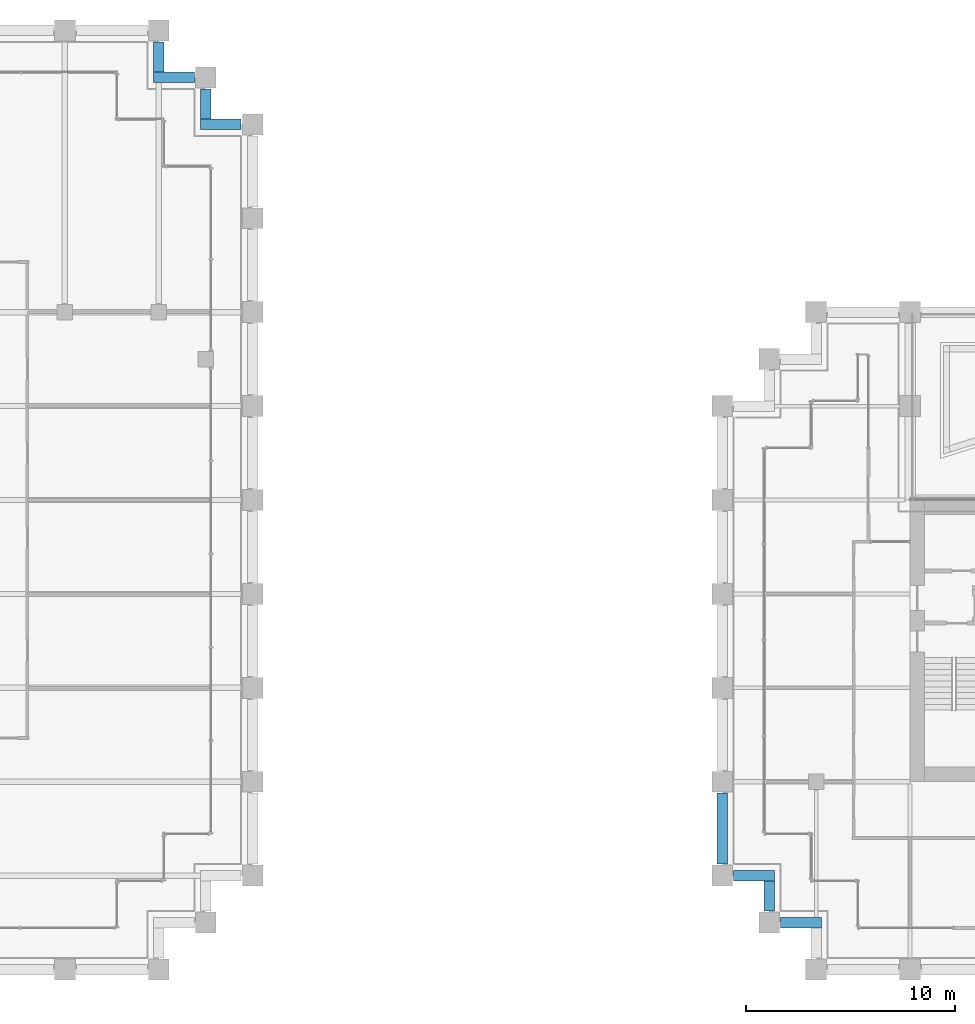
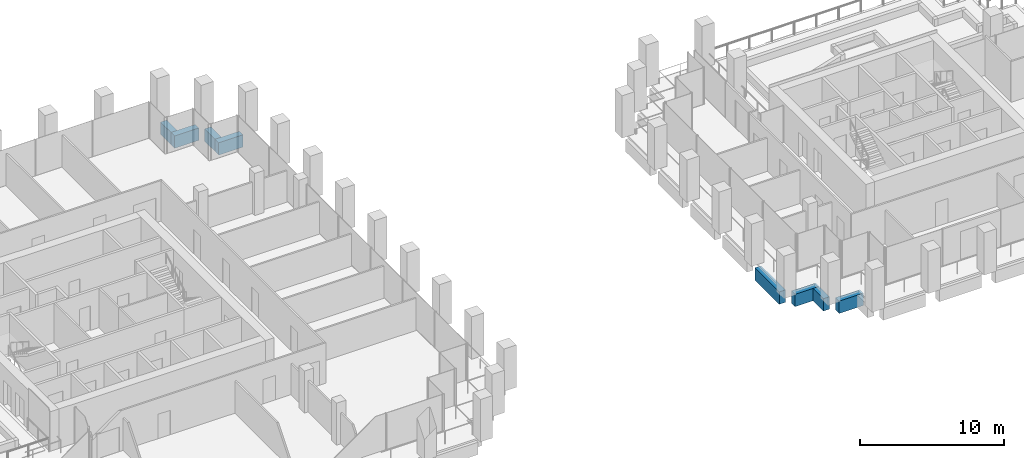
# One storey, part 29 of 52: 8 beams.
"""IFC4 building model written with IfcOpenShell, lengths in metres."""

from ifc_helpers import new_model, si_unit, direction, frame, origin, origin_2d, place, context, subcontext, project, spatial, rectangle, extrude, material, material_profile, profile_set, type_object, element, save


model = new_model("IFC4")

# Units and contexts
model_context = context("Model", 3, precision=1e-05, world=origin(), true_north=direction((0.0, 1.0)))
body_context = subcontext(model_context, "Body", "Model", "MODEL_VIEW")
ifc_project = project(units=[si_unit("LENGTHUNIT", "METRE"), si_unit("AREAUNIT", "SQUARE_METRE"), si_unit("VOLUMEUNIT", "CUBIC_METRE"), si_unit("PLANEANGLEUNIT", "RADIAN"), si_unit("MASSUNIT", "GRAM", prefix="KILO")], contexts=[model_context])

# Site, building, storey
site_placement = place(None, origin())
site = spatial("IfcSite", under=ifc_project, at=site_placement, CompositionType="ELEMENT")
building_placement = place(site_placement, origin())
building = spatial("IfcBuilding", under=site, at=building_placement, Name="Altepetl Exchange Towers", CompositionType="ELEMENT")
storey_placement = place(building_placement, frame((0.0, 0.0, 92.0)))
storey = spatial("IfcBuildingStorey", under=building, at=storey_placement, Name="L22", CompositionType="ELEMENT", Elevation=92.0)

# Beams
ifc_material_1 = material(Name="Concrete C50/60 precast with cantera rosa facing", Category="concrete")
ifc_material_profile_1 = material_profile(ifc_material_1, rectangle(XDim=0.5, YDim=1.050048828125, at=origin_2d()), Name="500 x 1050")
ifc_profile_set_1 = profile_set([ifc_material_profile_1], Name="Concrete C50/60 precast with cantera rosa facing")
beam_type_1 = type_object("IfcBeamType", Name="Spandrel beam 500x1050 cantera rosa", PredefinedType="SPANDREL", material=ifc_profile_set_1)
beam_1_placement = place(storey_placement, frame((71.449951171875, 67.5, -0.675048828125), z_axis=(-1.0, 0.0, 0.0), x_axis=(0.0, -1.0, 0.0)))
element("IfcBeam", 1, at=beam_1_placement, inside=storey, type_object=beam_type_1, Name="sp:A:L22:020", PredefinedType="SPANDREL", context=body_context, shape_type="SweptSolid", body=[
    extrude(rectangle(XDim=0.5, YDim=1.050048828125, at=origin_2d()), origin(), (0.0, 0.0, 1.0), 1.949951171875),
])
beam_2_placement = place(storey_placement, frame((69.75, 67.75, -0.675048828125), z_axis=(0.0, 1.0, 0.0), x_axis=(-1.0, 0.0, 0.0)))
element("IfcBeam", 2, at=beam_2_placement, inside=storey, type_object=beam_type_1, Name="sp:A:L22:021", PredefinedType="SPANDREL", context=body_context, shape_type="SweptSolid", body=[
    extrude(rectangle(XDim=0.5, YDim=1.050048828125, at=origin_2d()), origin(), (0.0, 0.0, 1.0), 1.449951171875),
])
beam_3_placement = place(storey_placement, frame((69.199951171875, 69.75, -0.675048828125), z_axis=(-1.0, 0.0, 0.0), x_axis=(0.0, -1.0, 0.0)))
element("IfcBeam", 3, at=beam_3_placement, inside=storey, type_object=beam_type_1, Name="sp:A:L22:022", PredefinedType="SPANDREL", context=body_context, shape_type="SweptSolid", body=[
    extrude(rectangle(XDim=0.5, YDim=1.050048828125, at=origin_2d()), origin(), (0.0, 0.0, 1.0), 1.949951171875),
])
beam_4_placement = place(storey_placement, frame((67.5, 70.0, -0.675048828125), z_axis=(0.0, 1.0, 0.0), x_axis=(-1.0, 0.0, 0.0)))
element("IfcBeam", 4, at=beam_4_placement, inside=storey, type_object=beam_type_1, Name="sp:A:L22:023", PredefinedType="SPANDREL", context=body_context, shape_type="SweptSolid", body=[
    extrude(rectangle(XDim=0.5, YDim=1.050048828125, at=origin_2d()), origin(), (0.0, 0.0, 1.0), 1.449951171875),
])
ifc_material_2 = material(Name="Concrete C50/60 precast with tezontle facing", Category="concrete")
ifc_material_profile_2 = material_profile(ifc_material_2, rectangle(XDim=0.5, YDim=1.050048828125, at=origin_2d()), Name="500 x 1050")
ifc_profile_set_2 = profile_set([ifc_material_profile_2], Name="Concrete C50/60 precast with tezontle facing")
beam_type_2 = type_object("IfcBeamType", Name="Spandrel beam 500x1050 tezontle", PredefinedType="SPANDREL", material=ifc_profile_set_2)
beam_5_placement = place(storey_placement, frame((94.5, 35.449951171875, -0.675048828125), z_axis=(0.0, -1.0, 0.0), x_axis=(1.0, 0.0, 0.0)))
element("IfcBeam", 5, at=beam_5_placement, inside=storey, type_object=beam_type_2, Name="sp:B:L22:026", PredefinedType="SPANDREL", context=body_context, shape_type="SweptSolid", body=[
    extrude(rectangle(XDim=0.5, YDim=1.050048828125, at=origin_2d()), origin(), (0.0, 0.0, 1.0), 3.39990234375),
])
beam_6_placement = place(storey_placement, frame((95.050048828125, 31.5, -0.675048828125), z_axis=(1.0, 0.0, 0.0), x_axis=(0.0, 1.0, 0.0)))
element("IfcBeam", 6, at=beam_6_placement, inside=storey, type_object=beam_type_2, Name="sp:B:L22:027", PredefinedType="SPANDREL", context=body_context, shape_type="SweptSolid", body=[
    extrude(rectangle(XDim=0.5, YDim=1.050048828125, at=origin_2d()), origin(), (0.0, 0.0, 1.0), 1.949951171875),
])
beam_7_placement = place(storey_placement, frame((96.75, 31.25, -0.675048828125), z_axis=(0.0, -1.0, 0.0), x_axis=(1.0, 0.0, 0.0)))
element("IfcBeam", 7, at=beam_7_placement, inside=storey, type_object=beam_type_2, Name="sp:B:L22:028", PredefinedType="SPANDREL", context=body_context, shape_type="SweptSolid", body=[
    extrude(rectangle(XDim=0.5, YDim=1.050048828125, at=origin_2d()), origin(), (0.0, 0.0, 1.0), 1.449951171875),
])
beam_8_placement = place(storey_placement, frame((97.300048828125, 29.25, -0.675048828125), z_axis=(1.0, 0.0, 0.0), x_axis=(0.0, 1.0, 0.0)))
element("IfcBeam", 8, at=beam_8_placement, inside=storey, type_object=beam_type_2, Name="sp:B:L22:029", PredefinedType="SPANDREL", context=body_context, shape_type="SweptSolid", body=[
    extrude(rectangle(XDim=0.5, YDim=1.050048828125, at=origin_2d()), origin(), (0.0, 0.0, 1.0), 1.949951171875),
])

save(model, "model.ifc")
